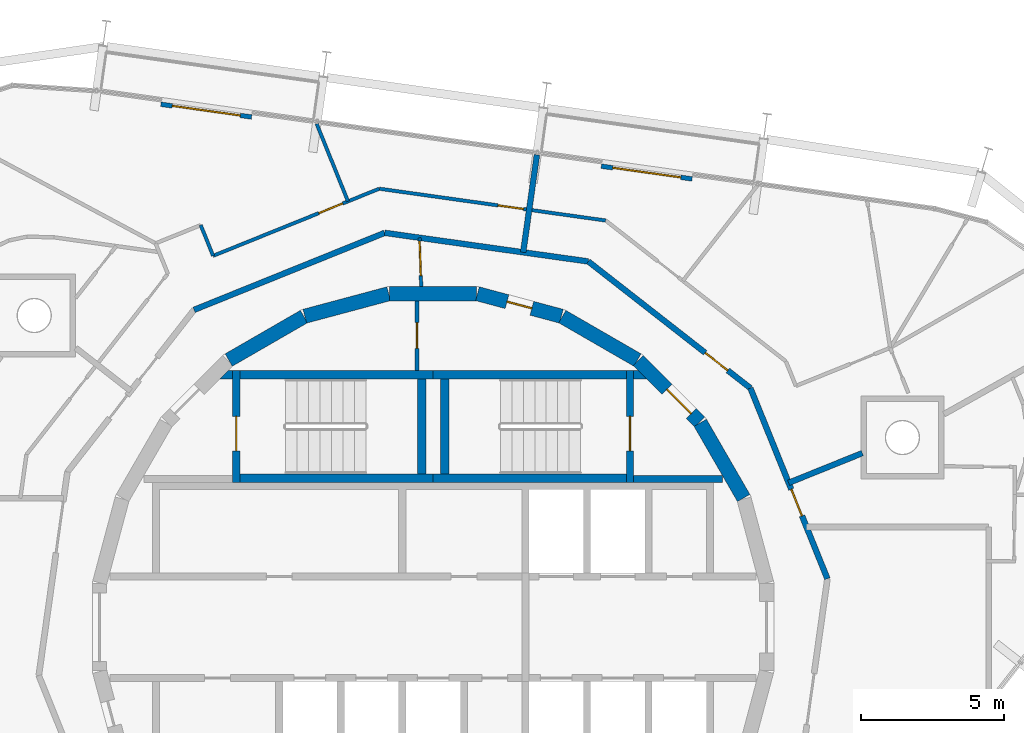
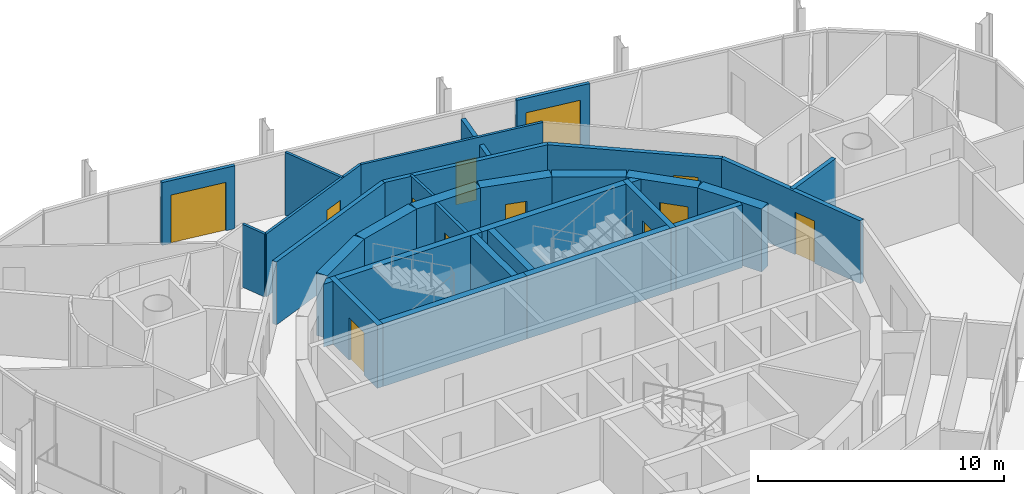
# One storey, part 13 of 15: 32 walls, 12 doors, 12 openings.
"""IFC4 building model written with IfcOpenShell, lengths in metres."""

from ifc_helpers import new_model, si_unit, direction, frame, frame_2d, origin, place, context, subcontext, project, spatial, polyline, rectangle, outline, extrude, material, layer, layer_set, type_object, element, fill, save


model = new_model("IFC4")

# Units and contexts
model_context = context("Model", 3, precision=1e-05, world=origin(), true_north=direction((0.0, 1.0)))
body_context = subcontext(model_context, "Body", "Model", "MODEL_VIEW")
ifc_project = project(units=[si_unit("LENGTHUNIT", "METRE"), si_unit("AREAUNIT", "SQUARE_METRE"), si_unit("VOLUMEUNIT", "CUBIC_METRE"), si_unit("PLANEANGLEUNIT", "RADIAN"), si_unit("MASSUNIT", "GRAM", prefix="KILO")], contexts=[model_context])

# Site, building, storey
site_placement = place(None, origin())
site = spatial("IfcSite", under=ifc_project, at=site_placement, CompositionType="ELEMENT")
building_placement = place(site_placement, origin())
building = spatial("IfcBuilding", under=site, at=building_placement, Name="Spindle Arch Residences", CompositionType="ELEMENT")
storey_placement = place(building_placement, frame((0.0, 0.0, 350.5)))
storey = spatial("IfcBuildingStorey", under=building, at=storey_placement, Name="L90", CompositionType="ELEMENT", Elevation=350.5)

# Wall
ifc_material_1 = material(Name="Concrete C50/60", Category="concrete")
ifc_layer_1 = layer(ifc_material_1, 0.5)
ifc_layer_set_1 = layer_set([ifc_layer_1], Name="Core outline wall 500")
wall_type_1 = type_object("IfcWallType", Name="Core outline wall 500", PredefinedType="SHEAR", material=ifc_layer_set_1)
wall_1_placement = place(storey_placement, frame((10.84521484375, 4.510498046875, 0.0), z_axis=(0.0, 0.0, 1.0), x_axis=(-0.500087131594, 0.865975092491, 0.0)))
element("IfcWall", 1, at=wall_1_placement, inside=storey, type_object=wall_type_1, Name="Core outline wall 8", PredefinedType="SHEAR", context=body_context, shape_type="SweptSolid", body=[
    extrude(rectangle(XDim=3.03271484375, YDim=0.5, at=frame_2d((1.516357421875, 0.0))), origin(), (0.0, 0.0, 1.0), 3.1201171875),
])

# Wall, opening, door
wall_2_placement = place(storey_placement, frame((9.30810546875, 7.163818359375, 0.0), z_axis=(0.0, 0.0, 1.0), x_axis=(-0.707106781187, 0.707106781187, 0.0)))
wall_2 = element("IfcWall", 2, at=wall_2_placement, inside=storey, type_object=wall_type_1, Name="Core outline wall 9", PredefinedType="SHEAR", context=body_context, shape_type="SweptSolid", body=[
    extrude(rectangle(XDim=3.032470703125, YDim=0.5, at=frame_2d((1.51611328125, 0.0))), origin(), (0.0, 0.0, 1.0), 3.1201171875),
])
opening_1_placement = place(wall_2_placement, frame((0.416259765625, 0.0, 0.0)))
opening_1 = element("IfcOpeningElement", 3, at=opening_1_placement, cuts=wall_2, Name="Opening R9B1-AD01", PredefinedType="OPENING", context=body_context, shape_type="SweptSolid", body=[
    extrude(rectangle(XDim=1.199951171875, YDim=2.10009765625, at=frame_2d((0.60009765625, 1.050048828125))), frame((0.0, 0.260009765625, 0.0), z_axis=(0.0, -1.0, 0.0), x_axis=(1.0, 0.0, 0.0)), (0.0, 0.0, 1.0), 0.52001953125),
])
ifc_material_2 = material(Name="Steel, fire-resisting door", Category="steel")
door_type_1 = type_object("IfcDoorType", Name="Stair airlock door 1200x2100", OperationType="SINGLE_SWING_LEFT", PredefinedType="DOOR", material=ifc_material_2)
door_1_placement = place(opening_1_placement, origin())
door_1 = element("IfcDoor", 4, at=door_1_placement, inside=storey, type_object=door_type_1, Name="Stair airlock door R9B1-AD01", OperationType="SINGLE_SWING_RIGHT", OverallHeight=2.10009765625, OverallWidth=1.199951171875, PredefinedType="DOOR", context=body_context, shape_type="SweptSolid", body=[
    extrude(rectangle(XDim=1.199951171875, YDim=2.10009765625, at=frame_2d((0.60009765625, 1.050048828125))), frame((0.0, 0.02490234375, 0.0), z_axis=(0.0, -1.0, 0.0), x_axis=(1.0, 0.0, 0.0)), (0.0, 0.0, 1.0), 0.050048828125),
])
fill(opening_1, door_1)

# Wall
wall_3_placement = place(storey_placement, frame((7.13671875, 9.32861328125, 0.0), z_axis=(0.0, 0.0, 1.0), x_axis=(-0.865975092491, 0.500087131594, 0.0)))
element("IfcWall", 5, at=wall_3_placement, inside=storey, type_object=wall_type_1, Name="Core outline wall 10", PredefinedType="SHEAR", context=body_context, shape_type="SweptSolid", body=[
    extrude(rectangle(XDim=3.03271484375, YDim=0.5, at=frame_2d((1.516357421875, 0.0))), origin(), (0.0, 0.0, 1.0), 3.1201171875),
])

# Wall, opening, door
wall_4_placement = place(storey_placement, frame((4.479248046875, 10.858154296875, 0.0), z_axis=(0.0, 0.0, 1.0), x_axis=(-0.965948410781, 0.258734743916, 0.0)))
wall_4 = element("IfcWall", 6, at=wall_4_placement, inside=storey, type_object=wall_type_1, Name="Core outline wall 11", PredefinedType="SHEAR", context=body_context, shape_type="SweptSolid", body=[
    extrude(rectangle(XDim=3.03271484375, YDim=0.5, at=frame_2d((1.516357421875, 0.0))), origin(), (0.0, 0.0, 1.0), 3.1201171875),
])
opening_2_placement = place(wall_4_placement, frame((1.066162109375, 0.0, 0.0)))
opening_2 = element("IfcOpeningElement", 7, at=opening_2_placement, cuts=wall_4, Name="Opening R9B1-WD11", PredefinedType="OPENING", context=body_context, shape_type="SweptSolid", body=[
    extrude(rectangle(XDim=0.89990234375, YDim=2.10009765625, at=frame_2d((0.449951171875, 1.050048828125))), frame((0.0, 0.260009765625, 0.0), z_axis=(0.0, -1.0, 0.0), x_axis=(1.0, 0.0, 0.0)), (0.0, 0.0, 1.0), 0.52001953125),
])
ifc_material_3 = material(Name="Steel, fire-resisting door", Category="steel")
door_type_2 = type_object("IfcDoorType", Name="Service room door 900x2100", OperationType="SINGLE_SWING_LEFT", PredefinedType="DOOR", material=ifc_material_3)
door_2_placement = place(opening_2_placement, origin())
door_2 = element("IfcDoor", 8, at=door_2_placement, inside=storey, type_object=door_type_2, Name="Service room door R9B1-WD11", OperationType="SINGLE_SWING_LEFT", OverallHeight=2.10009765625, OverallWidth=0.89990234375, PredefinedType="DOOR", context=body_context, shape_type="SweptSolid", body=[
    extrude(rectangle(XDim=0.89990234375, YDim=2.10009765625, at=frame_2d((0.449951171875, 1.050048828125))), frame((0.0, 0.02490234375, 0.0), z_axis=(0.0, -1.0, 0.0), x_axis=(1.0, 0.0, 0.0)), (0.0, 0.0, 1.0), 0.050048828125),
])
fill(opening_2, door_2)

# Walls
for number, where, z_axis, x_axis, name in (
    (9, (1.516357421875, 11.647216796875, 0.0), (0.0, 0.0, 1.0), (-1.0, 0.0, 0.0), "Core outline wall 12"),
    (10, (-1.5498046875, 11.642822265625, 0.0), (0.0, 0.0, 1.0), (-0.965948410781, -0.258734743916, 0.0), "Core outline wall 13"),
    (11, (-4.510498046875, 10.84521484375, 0.0), (0.0, 0.0, 1.0), (-0.865975092491, -0.500087131594, 0.0), "Core outline wall 14"),
):
    element("IfcWall", number, at=place(storey_placement, frame(where, z_axis=z_axis, x_axis=x_axis)), inside=storey, type_object=wall_type_1, Name=name, PredefinedType="SHEAR", context=body_context, shape_type="SweptSolid", body=[
        extrude(rectangle(XDim=3.03271484375, YDim=0.5, at=frame_2d((1.516357421875, 0.0))), origin(), (0.0, 0.0, 1.0), 3.1201171875),
    ])

# Wall, opening, door
ifc_material_4 = material(Name="Plasterboard on steel studs", Category="steel")
ifc_layer_2 = layer(ifc_material_4, 0.1201171875)
ifc_layer_set_2 = layer_set([ifc_layer_2], Name="Corridor division wall 120")
wall_type_2 = type_object("IfcWallType", Name="Corridor division wall 120", PredefinedType="PARTITIONING", material=ifc_layer_set_2)
wall_5_placement = place(storey_placement, frame((-0.474853515625, 13.598388671875, 0.0), z_axis=(0.0, 0.0, 1.0), x_axis=(0.034852521429, -0.999392466326, 0.0)))
wall_5 = element("IfcWall", 12, at=wall_5_placement, inside=storey, type_object=wall_type_2, Name="Corridor division wall R9B1-W001", PredefinedType="PARTITIONING", context=body_context, shape_type="SweptSolid", body=[
    extrude(rectangle(XDim=1.7021484375, YDim=0.1201171875, at=frame_2d((0.85107421875, 0.0))), origin(), (0.0, 0.0, 1.0), 3.1201171875),
])
opening_3_placement = place(wall_5_placement, frame((0.1201171875, 0.0, 0.0)))
opening_3 = element("IfcOpeningElement", 13, at=opening_3_placement, cuts=wall_5, Name="Opening R9B1-CD01", PredefinedType="OPENING", context=body_context, shape_type="SweptSolid", body=[
    extrude(rectangle(XDim=1.199951171875, YDim=2.10009765625, at=frame_2d((0.60009765625, 1.050048828125))), frame((0.0, 0.070068359375, 0.0), z_axis=(0.0, -1.0, 0.0), x_axis=(1.0, 0.0, 0.0)), (0.0, 0.0, 1.0), 0.14013671875),
])
ifc_material_5 = material(Name="Steel, fire-resisting door", Category="steel")
door_type_3 = type_object("IfcDoorType", Name="Corridor division door 1200x2100", OperationType="NOTDEFINED", PredefinedType="DOOR", material=ifc_material_5)
door_3_placement = place(opening_3_placement, origin())
door_3 = element("IfcDoor", 14, at=door_3_placement, inside=storey, type_object=door_type_3, Name="Corridor division door R9B1-CD01", OperationType="DOUBLE_DOOR_SINGLE_SWING", OverallHeight=2.10009765625, OverallWidth=1.199951171875, PredefinedType="DOOR", context=body_context, shape_type="SweptSolid", body=[
    extrude(rectangle(XDim=1.199951171875, YDim=2.10009765625, at=frame_2d((0.60009765625, 1.050048828125))), frame((0.0, 0.02490234375, 0.0), z_axis=(0.0, -1.0, 0.0), x_axis=(1.0, 0.0, 0.0)), (0.0, 0.0, 1.0), 0.050048828125),
])
fill(opening_3, door_3)

ifc_material_6 = material(Name="Calcium silicate block, plastered")
ifc_layer_3 = layer(ifc_material_6, 0.199951171875)
ifc_layer_set_3 = layer_set([ifc_layer_3], Name="Corridor wall 200")
wall_type_3 = type_object("IfcWallType", Name="Corridor wall 200", PredefinedType="STANDARD", material=ifc_layer_set_3)
wall_6_placement = place(storey_placement, frame((11.0791015625, 8.348876953125, 0.0), z_axis=(0.0, 0.0, 1.0), x_axis=(-0.78800478687, 0.615669112324, 0.0)))
wall_6 = element("IfcWall", 15, at=wall_6_placement, inside=storey, type_object=wall_type_3, Name="Corridor wall R9B1-W006", PredefinedType="STANDARD", context=body_context, shape_type="SweptSolid", body=[
    extrude(rectangle(XDim=7.18115234375, YDim=0.199951171875, at=frame_2d((3.590576171875, 0.0))), origin(), (0.0, 0.0, 1.0), 3.1201171875),
])
opening_4_placement = place(wall_6_placement, frame((1.0, 0.0, 0.0)))
opening_4 = element("IfcOpeningElement", 16, at=opening_4_placement, cuts=wall_6, Name="Opening R9B1-FD02", PredefinedType="OPENING", context=body_context, shape_type="SweptSolid", body=[
    extrude(rectangle(XDim=1.0, YDim=2.10009765625, at=frame_2d((0.5, 1.050048828125))), frame((0.0, 0.10986328125, 0.0), z_axis=(0.0, -1.0, 0.0), x_axis=(1.0, 0.0, 0.0)), (0.0, 0.0, 1.0), 0.219970703125),
])
ifc_material_7 = material(Name="Timber, fire-resisting door set", Category="wood")
door_type_4 = type_object("IfcDoorType", Name="Flat entrance door 1000x2100", OperationType="NOTDEFINED", PredefinedType="DOOR", material=ifc_material_7)
door_4_placement = place(opening_4_placement, origin())
door_4 = element("IfcDoor", 17, at=door_4_placement, inside=storey, type_object=door_type_4, Name="Flat entrance door R9B1-FD02", OperationType="SINGLE_SWING_LEFT", OverallHeight=2.10009765625, OverallWidth=1.0, PredefinedType="DOOR", context=body_context, shape_type="SweptSolid", body=[
    extrude(rectangle(XDim=1.0, YDim=2.10009765625, at=frame_2d((0.5, 1.050048828125))), frame((0.0, 0.02490234375, 0.0), z_axis=(0.0, -1.0, 0.0), x_axis=(1.0, 0.0, 0.0)), (0.0, 0.0, 1.0), 0.050048828125),
])
fill(opening_4, door_4)

# Walls
wall_7_placement = place(storey_placement, frame((5.42041015625, 12.77001953125, 0.0), z_axis=(0.0, 0.0, 1.0), x_axis=(-0.990270565508, 0.139155334385, 0.0)))
element("IfcWall", 18, at=wall_7_placement, inside=storey, type_object=wall_type_3, Name="Corridor wall R9B1-W007", PredefinedType="STANDARD", context=body_context, shape_type="SweptSolid", body=[
    extrude(rectangle(XDim=7.180908203125, YDim=0.199951171875, at=frame_2d((3.59033203125, 0.0))), origin(), (0.0, 0.0, 1.0), 3.1201171875),
])
wall_8_placement = place(storey_placement, frame((-1.690673828125, 13.769287109375, 0.0), z_axis=(0.0, 0.0, 1.0), x_axis=(-0.92717916932, -0.374618189599, 0.0)))
element("IfcWall", 19, at=wall_8_placement, inside=storey, type_object=wall_type_3, Name="Corridor wall R9B1-W011", PredefinedType="STANDARD", context=body_context, shape_type="SweptSolid", body=[
    extrude(rectangle(XDim=7.18115234375, YDim=0.199951171875, at=frame_2d((3.590576171875, 0.0))), origin(), (0.0, 0.0, 1.0), 3.1201171875),
])

# Wall, opening, door
ifc_material_8 = material(Name="Calcium silicate block, plastered")
ifc_layer_4 = layer(ifc_material_8, 0.199951171875)
ifc_layer_set_4 = layer_set([ifc_layer_4], Name="Fire-lift lobby bay wall 200")
wall_type_4 = type_object("IfcWallType", Name="Fire-lift lobby bay wall 200", PredefinedType="STANDARD", material=ifc_layer_set_4)
wall_9_placement = place(storey_placement, frame((13.769287109375, 1.690673828125, 0.0), z_axis=(0.0, 0.0, 1.0), x_axis=(-0.374618189599, 0.92717916932, 0.0)))
wall_9 = element("IfcWall", 20, at=wall_9_placement, inside=storey, type_object=wall_type_4, Name="Fire-lift lobby bay wall R9B1-W005", PredefinedType="STANDARD", context=body_context, shape_type="SweptSolid", body=[
    extrude(rectangle(XDim=7.18115234375, YDim=0.199951171875, at=frame_2d((3.590576171875, 0.0))), origin(), (0.0, 0.0, 1.0), 3.1201171875),
])
opening_5_placement = place(wall_9_placement, frame((2.37060546875, 0.0, 0.0)))
opening_5 = element("IfcOpeningElement", 21, at=opening_5_placement, cuts=wall_9, Name="Opening R9B1-FD01", PredefinedType="OPENING", context=body_context, shape_type="SweptSolid", body=[
    extrude(rectangle(XDim=1.0, YDim=2.10009765625, at=frame_2d((0.5, 1.050048828125))), frame((0.0, 0.10986328125, 0.0), z_axis=(0.0, -1.0, 0.0), x_axis=(1.0, 0.0, 0.0)), (0.0, 0.0, 1.0), 0.219970703125),
])
door_5_placement = place(opening_5_placement, origin())
door_5 = element("IfcDoor", 22, at=door_5_placement, inside=storey, type_object=door_type_4, Name="Flat entrance door R9B1-FD01", OperationType="SINGLE_SWING_LEFT", OverallHeight=2.10009765625, OverallWidth=1.0, PredefinedType="DOOR", context=body_context, shape_type="SweptSolid", body=[
    extrude(rectangle(XDim=1.0, YDim=2.10009765625, at=frame_2d((0.5, 1.050048828125))), frame((0.0, 0.02490234375, 0.0), z_axis=(0.0, -1.0, 0.0), x_axis=(1.0, 0.0, 0.0)), (0.0, 0.0, 1.0), 0.050048828125),
])
fill(opening_5, door_5)

ifc_material_9 = material(Name="Plasterboard on steel studs", Category="steel")
ifc_layer_5 = layer(ifc_material_9, 0.1201171875)
ifc_layer_set_5 = layer_set([ifc_layer_5], Name="Flat partition 120")
wall_type_5 = type_object("IfcWallType", Name="Flat partition 120", PredefinedType="PARTITIONING", material=ifc_layer_set_5)
wall_10_placement = place(storey_placement, frame((6.02734375, 14.199462890625, 0.0), z_axis=(0.0, 0.0, 1.0), x_axis=(-0.990271593532, 0.139148018469, 0.0)))
wall_10 = element("IfcWall", 23, at=wall_10_placement, inside=storey, type_object=wall_type_5, Name="Flat partition R9B1-W044", PredefinedType="PARTITIONING", context=body_context, shape_type="SweptSolid", body=[
    extrude(rectangle(XDim=7.98486328125, YDim=0.1201171875, at=frame_2d((3.992431640625, 0.0))), origin(), (0.0, 0.0, 1.0), 3.1201171875),
])
opening_6_placement = place(wall_10_placement, frame((2.898193359375, 0.0, 0.0)))
opening_6 = element("IfcOpeningElement", 24, at=opening_6_placement, cuts=wall_10, Name="Opening R9B1-ID08", PredefinedType="OPENING", context=body_context, shape_type="SweptSolid", body=[
    extrude(rectangle(XDim=0.89990234375, YDim=2.10009765625, at=frame_2d((0.449951171875, 1.050048828125))), frame((0.0, 0.070068359375, 0.0), z_axis=(0.0, -1.0, 0.0), x_axis=(1.0, 0.0, 0.0)), (0.0, 0.0, 1.0), 0.14013671875),
])
ifc_material_10 = material(Name="Timber door set", Category="wood")
door_type_5 = type_object("IfcDoorType", Name="Room door 900x2100", OperationType="NOTDEFINED", PredefinedType="DOOR", material=ifc_material_10)
door_6_placement = place(opening_6_placement, origin())
door_6 = element("IfcDoor", 25, at=door_6_placement, inside=storey, type_object=door_type_5, Name="Room door R9B1-ID08", OperationType="SINGLE_SWING_LEFT", OverallHeight=2.10009765625, OverallWidth=0.89990234375, PredefinedType="DOOR", context=body_context, shape_type="SweptSolid", body=[
    extrude(rectangle(XDim=0.89990234375, YDim=2.10009765625, at=frame_2d((0.449951171875, 1.050048828125))), frame((0.0, 0.02490234375, 0.0), z_axis=(0.0, -1.0, 0.0), x_axis=(1.0, 0.0, 0.0)), (0.0, 0.0, 1.0), 0.050048828125),
])
fill(opening_6, door_6)

wall_11_placement = place(storey_placement, frame((-1.8798828125, 15.310546875, 0.0), z_axis=(0.0, 0.0, 1.0), x_axis=(-0.927182163322, -0.374610779365, 0.0)))
wall_11 = element("IfcWall", 26, at=wall_11_placement, inside=storey, type_object=wall_type_5, Name="Flat partition R9B1-W049", PredefinedType="PARTITIONING", context=body_context, shape_type="SweptSolid", body=[
    extrude(rectangle(XDim=6.257080078125, YDim=0.1201171875, at=frame_2d((3.12841796875, 0.0))), origin(), (0.0, 0.0, 1.0), 3.1201171875),
])
opening_7_placement = place(wall_11_placement, frame((1.37744140625, 0.0, 0.0)))
opening_7 = element("IfcOpeningElement", 27, at=opening_7_placement, cuts=wall_11, Name="Opening R9B1-ID09", PredefinedType="OPENING", context=body_context, shape_type="SweptSolid", body=[
    extrude(rectangle(XDim=0.89990234375, YDim=2.10009765625, at=frame_2d((0.449951171875, 1.050048828125))), frame((0.0, 0.070068359375, 0.0), z_axis=(0.0, -1.0, 0.0), x_axis=(1.0, 0.0, 0.0)), (0.0, 0.0, 1.0), 0.14013671875),
])
door_7_placement = place(opening_7_placement, origin())
door_7 = element("IfcDoor", 28, at=door_7_placement, inside=storey, type_object=door_type_5, Name="Room door R9B1-ID09", OperationType="SINGLE_SWING_RIGHT", OverallHeight=2.10009765625, OverallWidth=0.89990234375, PredefinedType="DOOR", context=body_context, shape_type="SweptSolid", body=[
    extrude(rectangle(XDim=0.89990234375, YDim=2.10009765625, at=frame_2d((0.449951171875, 1.050048828125))), frame((0.0, 0.02490234375, 0.0), z_axis=(0.0, -1.0, 0.0), x_axis=(1.0, 0.0, 0.0)), (0.0, 0.0, 1.0), 0.050048828125),
])
fill(opening_7, door_7)

# Walls
wall_12_placement = place(storey_placement, frame((-7.681396484375, 12.966552734375, 0.0), z_axis=(0.0, 0.0, 1.0), x_axis=(-0.374592224266, 0.927189659951, 0.0)))
element("IfcWall", 29, at=wall_12_placement, inside=storey, type_object=wall_type_5, Name="Flat partition R9B1-W050", PredefinedType="PARTITIONING", context=body_context, shape_type="SweptSolid", body=[
    extrude(rectangle(XDim=1.15625, YDim=0.1201171875, at=frame_2d((0.578125, 0.0))), origin(), (0.0, 0.0, 1.0), 3.1201171875),
])
wall_13_placement = place(storey_placement, frame((-4.06494140625, 17.5751953125, 0.0), z_axis=(0.0, 0.0, 1.0), x_axis=(0.374619347258, -0.927178701578, 0.0)))
element("IfcWall", 30, at=wall_13_placement, inside=storey, type_object=wall_type_5, Name="Flat partition R9B1-W054", PredefinedType="PARTITIONING", context=body_context, shape_type="SweptSolid", body=[
    extrude(rectangle(XDim=2.918212890625, YDim=0.1201171875, at=frame_2d((1.458984375, 0.0))), origin(), (0.0, 0.0, 1.0), 3.1201171875),
])
ifc_material_11 = material(Name="Calcium silicate block, plastered")
ifc_layer_6 = layer(ifc_material_11, 0.199951171875)
ifc_layer_set_6 = layer_set([ifc_layer_6], Name="Flat party wall 200")
wall_type_6 = type_object("IfcWallType", Name="Flat party wall 200", PredefinedType="STANDARD", material=ifc_layer_set_6)
wall_14_placement = place(storey_placement, frame((14.9892578125, 6.07861328125, 0.0), z_axis=(0.0, 0.0, 1.0), x_axis=(-0.927203056473, -0.374559063523, 0.0)))
element("IfcWall", 31, at=wall_14_placement, inside=storey, type_object=wall_type_6, Name="Flat party wall R9B1-W022", PredefinedType="STANDARD", context=body_context, shape_type="SweptSolid", body=[
    extrude(rectangle(XDim=2.774658203125, YDim=0.199951171875, at=frame_2d((1.38720703125, 0.0))), origin(), (0.0, 0.0, 1.0), 3.1201171875),
])
ifc_material_12 = material(Name="Calcium silicate block, plastered")
ifc_layer_7 = layer(ifc_material_12, 0.199951171875)
ifc_layer_set_7 = layer_set([ifc_layer_7], Name="Flat party wall 200 under beam 2730")
wall_type_7 = type_object("IfcWallType", Name="Flat party wall 200 under beam 2730", PredefinedType="STANDARD", material=ifc_layer_set_7)
wall_15_placement = place(storey_placement, frame((3.625, 16.494384765625, 0.0), z_axis=(0.0, 0.0, 1.0), x_axis=(-0.139174320859, -0.990267897295, 0.0)))
element("IfcWall", 32, at=wall_15_placement, inside=storey, type_object=wall_type_7, Name="Flat party wall R9B1-W024", PredefinedType="STANDARD", context=body_context, shape_type="SweptSolid", body=[
    extrude(rectangle(XDim=3.438232421875, YDim=0.199951171875, at=frame_2d((1.71923828125, 0.0))), origin(), (0.0, 0.0, 1.0), 2.72998046875),
])

# Wall, opening, door
ifc_material_13 = material(Name="Non-combustible mineral wool insulated aluminium faced external wall (K0)", Category="aluminium")
ifc_layer_8 = layer(ifc_material_13, 0.159912109375)
ifc_layer_set_8 = layer_set([ifc_layer_8], Name="Insulated external wall panel 160")
wall_type_8 = type_object("IfcWallType", Name="Insulated external wall panel 160", PredefinedType="STANDARD", material=ifc_layer_set_8)
wall_16_placement = place(storey_placement, frame((9.04345703125, 15.652099609375, 0.0), z_axis=(0.0, 0.0, 1.0), x_axis=(-0.990270382149, 0.139156639217, 0.0)))
wall_16 = element("IfcWall", 33, at=wall_16_placement, inside=storey, type_object=wall_type_8, Name="External wall L90 bay 6", PredefinedType="STANDARD", context=body_context, shape_type="SweptSolid", body=[
    extrude(rectangle(XDim=3.2001953125, YDim=0.159912109375, at=frame_2d((1.60009765625, 0.0))), origin(), (0.0, 0.0, 1.0), 3.1201171875),
])
opening_8_placement = place(wall_16_placement, frame((0.39990234375, 0.0, 0.0)))
opening_8 = element("IfcOpeningElement", 34, at=opening_8_placement, cuts=wall_16, Name="Opening BD06", PredefinedType="OPENING", context=body_context, shape_type="SweptSolid", body=[
    extrude(rectangle(XDim=2.39990234375, YDim=2.39990234375, at=frame_2d((1.199951171875, 1.199951171875))), frame((0.0, 0.08984375, 0.0), z_axis=(0.0, -1.0, 0.0), x_axis=(1.0, 0.0, 0.0)), (0.0, 0.0, 1.0), 0.179931640625),
])
ifc_material_14 = material(Name="Bronze aluminium frame, tinted double glazing", Category="aluminium")
door_type_6 = type_object("IfcDoorType", Name="Sliding glazed balcony door 2400x2400", OperationType="DOUBLE_DOOR_SLIDING", PredefinedType="DOOR", material=ifc_material_14)
door_8_placement = place(opening_8_placement, origin())
door_8 = element("IfcDoor", 35, at=door_8_placement, inside=storey, type_object=door_type_6, Name="Balcony door BD06", OperationType="DOUBLE_DOOR_SLIDING", OverallHeight=2.39990234375, OverallWidth=2.39990234375, PredefinedType="DOOR", context=body_context, shape_type="SweptSolid", body=[
    extrude(rectangle(XDim=2.39990234375, YDim=2.39990234375, at=frame_2d((1.199951171875, 1.199951171875))), frame((0.0, 0.02490234375, 0.0), z_axis=(0.0, -1.0, 0.0), x_axis=(1.0, 0.0, 0.0)), (0.0, 0.0, 1.0), 0.050048828125),
])
fill(opening_8, door_8)

wall_17_placement = place(storey_placement, frame((-6.336669921875, 17.813720703125, 0.0), z_axis=(0.0, 0.0, 1.0), x_axis=(-0.99026890462, 0.13916715325, 0.0)))
wall_17 = element("IfcWall", 36, at=wall_17_placement, inside=storey, type_object=wall_type_8, Name="External wall L90 bay 8", PredefinedType="STANDARD", context=body_context, shape_type="SweptSolid", body=[
    extrude(rectangle(XDim=3.199951171875, YDim=0.159912109375, at=frame_2d((1.60009765625, 0.0))), origin(), (0.0, 0.0, 1.0), 3.1201171875),
])
opening_9_placement = place(wall_17_placement, frame((0.39990234375, 0.0, 0.0)))
opening_9 = element("IfcOpeningElement", 37, at=opening_9_placement, cuts=wall_17, Name="Opening BD08", PredefinedType="OPENING", context=body_context, shape_type="SweptSolid", body=[
    extrude(rectangle(XDim=2.39990234375, YDim=2.39990234375, at=frame_2d((1.199951171875, 1.199951171875))), frame((0.0, 0.08984375, 0.0), z_axis=(0.0, -1.0, 0.0), x_axis=(1.0, 0.0, 0.0)), (0.0, 0.0, 1.0), 0.179931640625),
])
door_9_placement = place(opening_9_placement, origin())
door_9 = element("IfcDoor", 38, at=door_9_placement, inside=storey, type_object=door_type_6, Name="Balcony door BD08", OperationType="DOUBLE_DOOR_SLIDING", OverallHeight=2.39990234375, OverallWidth=2.39990234375, PredefinedType="DOOR", context=body_context, shape_type="SweptSolid", body=[
    extrude(rectangle(XDim=2.39990234375, YDim=2.39990234375, at=frame_2d((1.199951171875, 1.199951171875))), frame((0.0, 0.02490234375, 0.0), z_axis=(0.0, -1.0, 0.0), x_axis=(1.0, 0.0, 0.0)), (0.0, 0.0, 1.0), 0.050048828125),
])
fill(opening_9, door_9)

ifc_material_15 = material(Name="Concrete C25/30", Category="concrete")
ifc_layer_9 = layer(ifc_material_15, 0.14990234375)
ifc_layer_set_9 = layer_set([ifc_layer_9], Name="Service room partition 150")
wall_type_9 = type_object("IfcWallType", Name="Service room partition 150", PredefinedType="PARTITIONING", material=ifc_layer_set_9)
wall_18_placement = place(storey_placement, frame((-0.5615234375, 8.969970703125, 0.0), z_axis=(0.0, 0.0, 1.0), x_axis=(0.0, 1.0, 0.0)))
wall_18 = element("IfcWall", 39, at=wall_18_placement, inside=storey, type_object=wall_type_9, Name="Core service room partition", PredefinedType="PARTITIONING", context=body_context, shape_type="SweptSolid", body=[
    extrude(rectangle(XDim=2.42724609375, YDim=0.14990234375, at=frame_2d((1.213623046875, 0.0))), origin(), (0.0, 0.0, 1.0), 3.1201171875),
])
opening_10_placement = place(wall_18_placement, frame((0.763671875, 0.0, 0.0)))
opening_10 = element("IfcOpeningElement", 40, at=opening_10_placement, cuts=wall_18, Name="Opening R9B1-WD06", PredefinedType="OPENING", context=body_context, shape_type="SweptSolid", body=[
    extrude(rectangle(XDim=0.89990234375, YDim=2.10009765625, at=frame_2d((0.449951171875, 1.050048828125))), frame((0.0, 0.0849609375, 0.0), z_axis=(0.0, -1.0, 0.0), x_axis=(1.0, 0.0, 0.0)), (0.0, 0.0, 1.0), 0.169921875),
])
door_10_placement = place(opening_10_placement, origin())
door_10 = element("IfcDoor", 41, at=door_10_placement, inside=storey, type_object=door_type_2, Name="Service room door R9B1-WD06", OperationType="SINGLE_SWING_RIGHT", OverallHeight=2.10009765625, OverallWidth=0.89990234375, PredefinedType="DOOR", context=body_context, shape_type="SweptSolid", body=[
    extrude(rectangle(XDim=0.89990234375, YDim=2.10009765625, at=frame_2d((0.449951171875, 1.050048828125))), frame((0.0, 0.02490234375, 0.0), z_axis=(0.0, -1.0, 0.0), x_axis=(1.0, 0.0, 0.0)), (0.0, 0.0, 1.0), 0.050048828125),
])
fill(opening_10, door_10)

# Walls
ifc_material_16 = material(Name="Concrete C40/50", Category="concrete")
ifc_layer_10 = layer(ifc_material_16, 0.25)
ifc_layer_set_10 = layer_set([ifc_layer_10], Name="Stair airlock wall 250")
wall_type_10 = type_object("IfcWallType", Name="Stair airlock wall 250", PredefinedType="SHEAR", material=ifc_layer_set_10)
wall_19_placement = place(storey_placement, frame((7.0, 5.175048828125, 0.0), z_axis=(0.0, 0.0, 1.0), x_axis=(1.0, 0.0, 0.0)))
element("IfcWall", 42, at=wall_19_placement, inside=storey, type_object=wall_type_10, Name="Stair ST-1 airlock wall S", PredefinedType="SHEAR", context=body_context, shape_type="SweptSolid", body=[
    extrude(rectangle(XDim=3.10009765625, YDim=0.25, at=frame_2d((1.550048828125, 0.0))), origin(), (0.0, 0.0, 1.0), 3.1201171875),
])
ifc_material_17 = material(Name="Concrete C40/50", Category="concrete")
wall_type_11 = type_object("IfcWallType", Name="Stair airlock wall profile", PredefinedType="SHEAR", material=ifc_material_17)
wall_20_placement = place(storey_placement, origin())
element("IfcWall", 43, at=wall_20_placement, inside=storey, type_object=wall_type_11, Name="Stair ST-1 airlock wall N", PredefinedType="SHEAR", context=body_context, shape_type="SweptSolid", body=[
    extrude(outline(polyline([(7.4482421875, 8.669921875), (7.0, 8.669921875), (7.0, 8.969970703125), (7.148193359375, 8.969970703125), (7.4482421875, 8.669921875)])), origin(), (0.0, 0.0, 1.0), 3.1201171875),
])
wall_21_placement = place(storey_placement, origin())
element("IfcWall", 44, at=wall_21_placement, inside=storey, type_object=wall_type_11, Name="Stair ST-2 airlock wall N", PredefinedType="SHEAR", context=body_context, shape_type="SweptSolid", body=[
    extrude(outline(polyline([(-7.148193359375, 8.969970703125), (-7.0, 8.969970703125), (-7.0, 8.669921875), (-7.4482421875, 8.669921875), (-7.148193359375, 8.969970703125)])), origin(), (0.0, 0.0, 1.0), 3.1201171875),
])

# Wall, opening, door
ifc_material_18 = material(Name="Concrete C50/60", Category="concrete")
ifc_layer_11 = layer(ifc_material_18, 0.25)
ifc_layer_set_11 = layer_set([ifc_layer_11], Name="Stair enclosure wall 250")
wall_type_12 = type_object("IfcWallType", Name="Stair enclosure wall 250", PredefinedType="SHEAR", material=ifc_layer_set_11)
wall_22_placement = place(storey_placement, frame((6.875, 5.050048828125, 0.0), z_axis=(0.0, 0.0, 1.0), x_axis=(0.0, 1.0, 0.0)))
wall_22 = element("IfcWall", 45, at=wall_22_placement, inside=storey, type_object=wall_type_12, Name="Stair ST-1 door wall", PredefinedType="SHEAR", context=body_context, shape_type="SweptSolid", body=[
    extrude(rectangle(XDim=3.919921875, YDim=0.25, at=frame_2d((1.9599609375, 0.0))), origin(), (0.0, 0.0, 1.0), 3.1201171875),
])
opening_11_placement = place(wall_22_placement, frame((1.110107421875, 0.0, 0.0)))
opening_11 = element("IfcOpeningElement", 46, at=opening_11_placement, cuts=wall_22, Name="Opening R9B1-SD01", PredefinedType="OPENING", context=body_context, shape_type="SweptSolid", body=[
    extrude(rectangle(XDim=1.199951171875, YDim=2.10009765625, at=frame_2d((0.60009765625, 1.050048828125))), frame((0.0, 0.135009765625, 0.0), z_axis=(0.0, -1.0, 0.0), x_axis=(1.0, 0.0, 0.0)), (0.0, 0.0, 1.0), 0.27001953125),
])
ifc_material_19 = material(Name="Steel, fire-resisting door", Category="steel")
door_type_7 = type_object("IfcDoorType", Name="Stair door 1200x2100", OperationType="SINGLE_SWING_RIGHT", PredefinedType="DOOR", material=ifc_material_19)
door_11_placement = place(opening_11_placement, origin())
door_11 = element("IfcDoor", 47, at=door_11_placement, inside=storey, type_object=door_type_7, Name="Stair door R9B1-SD01", OperationType="SINGLE_SWING_LEFT", OverallHeight=2.10009765625, OverallWidth=1.199951171875, PredefinedType="DOOR", context=body_context, shape_type="SweptSolid", body=[
    extrude(rectangle(XDim=1.199951171875, YDim=2.10009765625, at=frame_2d((0.60009765625, 1.050048828125))), frame((0.0, 0.02490234375, 0.0), z_axis=(0.0, -1.0, 0.0), x_axis=(1.0, 0.0, 0.0)), (0.0, 0.0, 1.0), 0.050048828125),
])
fill(opening_11, door_11)

wall_23_placement = place(storey_placement, frame((-6.875, 8.969970703125, 0.0), z_axis=(0.0, 0.0, 1.0), x_axis=(0.0, -1.0, 0.0)))
wall_23 = element("IfcWall", 48, at=wall_23_placement, inside=storey, type_object=wall_type_12, Name="Stair ST-2 door wall", PredefinedType="SHEAR", context=body_context, shape_type="SweptSolid", body=[
    extrude(rectangle(XDim=3.919921875, YDim=0.25, at=frame_2d((1.9599609375, 0.0))), origin(), (0.0, 0.0, 1.0), 3.1201171875),
])
opening_12_placement = place(wall_23_placement, frame((1.610107421875, 0.0, 0.0)))
opening_12 = element("IfcOpeningElement", 49, at=opening_12_placement, cuts=wall_23, Name="Opening R9B1-SD02", PredefinedType="OPENING", context=body_context, shape_type="SweptSolid", body=[
    extrude(rectangle(XDim=1.199951171875, YDim=2.10009765625, at=frame_2d((0.60009765625, 1.050048828125))), frame((0.0, 0.135009765625, 0.0), z_axis=(0.0, -1.0, 0.0), x_axis=(1.0, 0.0, 0.0)), (0.0, 0.0, 1.0), 0.27001953125),
])
door_12_placement = place(opening_12_placement, origin())
door_12 = element("IfcDoor", 50, at=door_12_placement, inside=storey, type_object=door_type_7, Name="Stair door R9B1-SD02", OperationType="SINGLE_SWING_LEFT", OverallHeight=2.10009765625, OverallWidth=1.199951171875, PredefinedType="DOOR", context=body_context, shape_type="SweptSolid", body=[
    extrude(rectangle(XDim=1.199951171875, YDim=2.10009765625, at=frame_2d((0.60009765625, 1.050048828125))), frame((0.0, 0.02490234375, 0.0), z_axis=(0.0, -1.0, 0.0), x_axis=(1.0, 0.0, 0.0)), (0.0, 0.0, 1.0), 0.050048828125),
])
fill(opening_12, door_12)

# Walls
ifc_material_20 = material(Name="Concrete C50/60", Category="concrete")
ifc_layer_12 = layer(ifc_material_20, 0.300048828125)
ifc_layer_set_12 = layer_set([ifc_layer_12], Name="Stair enclosure wall 300")
wall_type_13 = type_object("IfcWallType", Name="Stair enclosure wall 300", PredefinedType="SHEAR", material=ifc_layer_set_12)
for number, where, z_axis, x_axis, name in (
    (51, (0.0, 5.199951171875, 0.0), (0.0, 0.0, 1.0), (1.0, 0.0, 0.0), "Stair ST-1 enclosure wall S"),
    (52, (0.0, 8.820068359375, 0.0), (0.0, 0.0, 1.0), (1.0, 0.0, 0.0), "Stair ST-1 enclosure wall N"),
):
    element("IfcWall", number, at=place(storey_placement, frame(where, z_axis=z_axis, x_axis=x_axis)), inside=storey, type_object=wall_type_13, Name=name, PredefinedType="SHEAR", context=body_context, shape_type="SweptSolid", body=[
        extrude(rectangle(XDim=6.75, YDim=0.300048828125, at=frame_2d((3.375, 0.0))), origin(), (0.0, 0.0, 1.0), 3.1201171875),
    ])
wall_24_placement = place(storey_placement, frame((0.39990234375, 5.35009765625, 0.0), z_axis=(0.0, 0.0, 1.0), x_axis=(0.0, 1.0, 0.0)))
element("IfcWall", 53, at=wall_24_placement, inside=storey, type_object=wall_type_13, Name="Stair ST-1 enclosure wall F", PredefinedType="SHEAR", context=body_context, shape_type="SweptSolid", body=[
    extrude(rectangle(XDim=3.31982421875, YDim=0.300048828125, at=frame_2d((1.659912109375, 0.0))), origin(), (0.0, 0.0, 1.0), 3.1201171875),
])
for number, where, z_axis, x_axis, name in (
    (54, (-6.75, 5.199951171875, 0.0), (0.0, 0.0, 1.0), (1.0, 0.0, 0.0), "Stair ST-2 enclosure wall S"),
    (55, (-6.75, 8.820068359375, 0.0), (0.0, 0.0, 1.0), (1.0, 0.0, 0.0), "Stair ST-2 enclosure wall N"),
):
    element("IfcWall", number, at=place(storey_placement, frame(where, z_axis=z_axis, x_axis=x_axis)), inside=storey, type_object=wall_type_13, Name=name, PredefinedType="SHEAR", context=body_context, shape_type="SweptSolid", body=[
        extrude(rectangle(XDim=6.75, YDim=0.300048828125, at=frame_2d((3.375, 0.0))), origin(), (0.0, 0.0, 1.0), 3.1201171875),
    ])
wall_25_placement = place(storey_placement, frame((-0.39990234375, 5.35009765625, 0.0), z_axis=(0.0, 0.0, 1.0), x_axis=(0.0, 1.0, 0.0)))
element("IfcWall", 56, at=wall_25_placement, inside=storey, type_object=wall_type_13, Name="Stair ST-2 enclosure wall F", PredefinedType="SHEAR", context=body_context, shape_type="SweptSolid", body=[
    extrude(rectangle(XDim=3.31982421875, YDim=0.300048828125, at=frame_2d((1.659912109375, 0.0))), origin(), (0.0, 0.0, 1.0), 3.1201171875),
])

save(model, "model.ifc")
